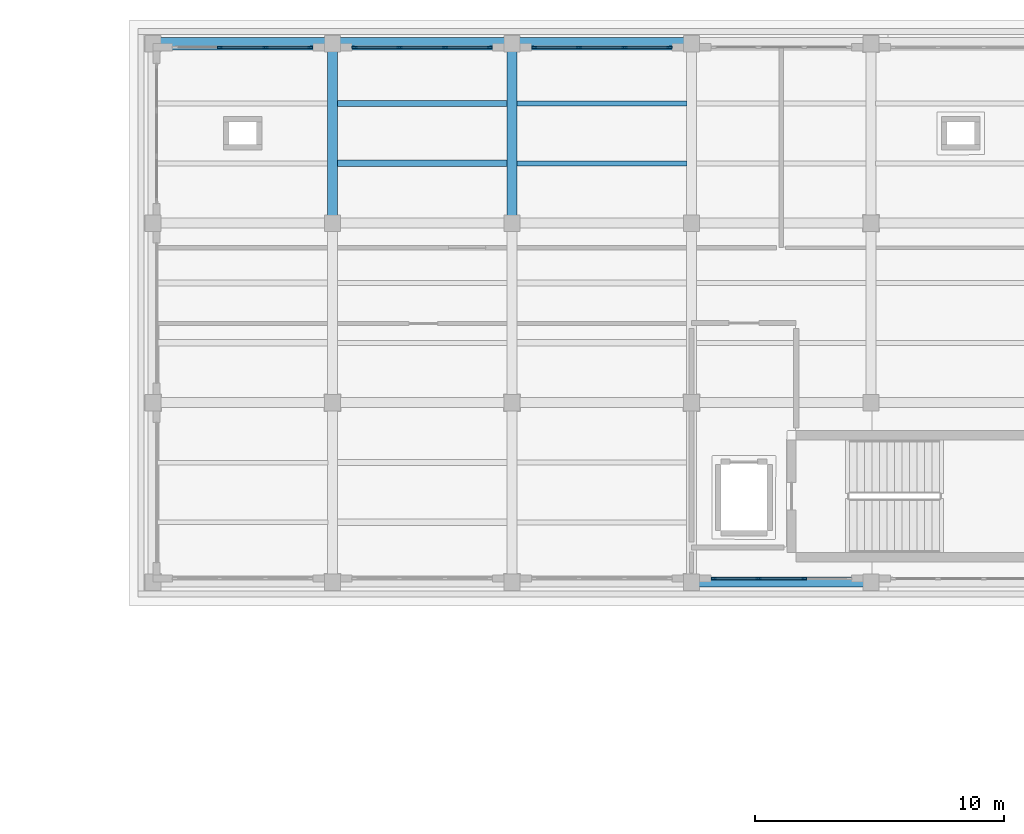
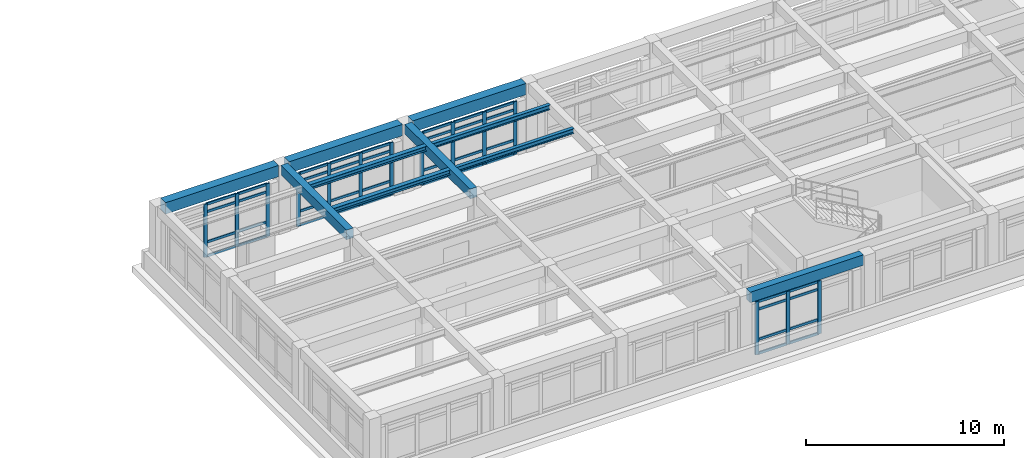
# One storey, part 24 of 55: 54 members, 10 beams, 4 elements without a shape of their own.
"""IFC4 building model written with IfcOpenShell, lengths in metres."""

from ifc_helpers import new_model, si_unit, direction, frame, origin, origin_2d, place, context, subcontext, project, spatial, rectangle, i_section, extrude, material, layer, layer_set, material_profile, profile_set, type_object, element, aggregate, save


model = new_model("IFC4")

# Units and contexts
model_context = context("Model", 3, precision=1e-05, world=origin(), true_north=direction((0.0, 1.0)))
body_context = subcontext(model_context, "Body", "Model", "MODEL_VIEW")
ifc_project = project(units=[si_unit("LENGTHUNIT", "METRE"), si_unit("AREAUNIT", "SQUARE_METRE"), si_unit("VOLUMEUNIT", "CUBIC_METRE"), si_unit("PLANEANGLEUNIT", "RADIAN"), si_unit("MASSUNIT", "GRAM", prefix="KILO")], contexts=[model_context])

# Site, building, storey
site_placement = place(None, origin())
site = spatial("IfcSite", under=ifc_project, at=site_placement, CompositionType="ELEMENT")
building_placement = place(site_placement, origin())
building = spatial("IfcBuilding", under=site, at=building_placement, Name="Solenvale Faculty of Natural Sciences", CompositionType="ELEMENT")
storey_placement = place(building_placement, frame((0.0, 0.0, 22.5)))
storey = spatial("IfcBuildingStorey", under=building, at=storey_placement, Name="L05", CompositionType="ELEMENT", Elevation=22.5)

# Beams
ifc_material_1 = material(Name="Concrete 40 MPa", Category="concrete")
ifc_material_profile_1 = material_profile(ifc_material_1, rectangle(XDim=0.39990234375, YDim=0.60009765625, at=origin_2d()), Name="RC-BM-400x600")
ifc_profile_set_1 = profile_set([ifc_material_profile_1], Name="Concrete 40 MPa")
beam_type_1 = type_object("IfcBeamType", Name="BM-RC-400x600", PredefinedType="BEAM", material=ifc_profile_set_1)
for number, where, z_axis, x_axis, name in (
    (1, (86.39990234375, 108.304931640625, 3.919921875), (0.0, 1.0, 0.0), (-1.0, 0.0, 0.0), "L05 Y-Girder X86.4 (108.0..115.2)"),
    (2, (93.60009765625, 108.304931640625, 3.919921875), (0.0, 1.0, 0.0), (-1.0, 0.0, 0.0), "L05 Y-Girder X93.6 (108.0..115.2)"),
):
    element("IfcBeam", number, at=place(storey_placement, frame(where, z_axis=z_axis, x_axis=x_axis)), inside=storey, type_object=beam_type_1, Name=name, PredefinedType="BEAM", context=body_context, shape_type="SweptSolid", body=[
        extrude(rectangle(XDim=0.39990234375, YDim=0.60009765625, at=origin_2d()), origin(), (0.0, 0.0, 1.0), 6.590087890625),
    ])
ifc_material_profile_2 = material_profile(ifc_material_1, rectangle(XDim=0.39990234375, YDim=0.64990234375, at=origin_2d()), Name="RC-BM-400x650")
ifc_profile_set_2 = profile_set([ifc_material_profile_2], Name="Concrete 40 MPa")
beam_type_2 = type_object("IfcBeamType", Name="BM-RC-400x650", PredefinedType="BEAM", material=ifc_profile_set_2)
beam_1_placement = place(storey_placement, frame((101.10498046875, 93.60009765625, 3.89501953125), z_axis=(1.0, 0.0, 0.0), x_axis=(0.0, 1.0, 0.0)))
element("IfcBeam", 3, at=beam_1_placement, inside=storey, type_object=beam_type_2, Name="L05 X-Girder Y93.6 (100.8..108.0)", PredefinedType="BEAM", context=body_context, shape_type="SweptSolid", body=[
    extrude(rectangle(XDim=0.39990234375, YDim=0.64990234375, at=origin_2d()), origin(), (0.0, 0.0, 1.0), 6.590087890625),
])
ifc_material_2 = material(Name="Precast concrete 40 MPa", Category="concrete")
ifc_material_profile_3 = material_profile(ifc_material_2, rectangle(XDim=0.5, YDim=0.699951171875, at=origin_2d()), Name="RC-BM-500x700")
ifc_profile_set_3 = profile_set([ifc_material_profile_3], Name="Precast concrete 40 MPa")
beam_type_3 = type_object("IfcBeamType", Name="BM-SPN-PRC-700", PredefinedType="SPANDREL", material=ifc_profile_set_3)
beam_2_placement = place(storey_placement, frame((79.5048828125, 115.199951171875, 3.8701171875), z_axis=(1.0, 0.0, 0.0), x_axis=(0.0, 1.0, 0.0)))
element("IfcBeam", 4, at=beam_2_placement, inside=storey, type_object=beam_type_3, Name="L05 X-Girder Y115.2 (79.2..86.4)", PredefinedType="SPANDREL", context=body_context, shape_type="SweptSolid", body=[
    extrude(rectangle(XDim=0.5, YDim=0.699951171875, at=origin_2d()), origin(), (0.0, 0.0, 1.0), 6.590087890625),
])
beam_3_placement = place(storey_placement, frame((86.705078125, 115.199951171875, 3.8701171875), z_axis=(1.0, 0.0, 0.0), x_axis=(0.0, 1.0, 0.0)))
element("IfcBeam", 5, at=beam_3_placement, inside=storey, type_object=beam_type_3, Name="L05 X-Girder Y115.2 (86.4..93.6)", PredefinedType="SPANDREL", context=body_context, shape_type="SweptSolid", body=[
    extrude(rectangle(XDim=0.5, YDim=0.699951171875, at=origin_2d()), origin(), (0.0, 0.0, 1.0), 6.58984375),
])
beam_4_placement = place(storey_placement, frame((93.905029296875, 115.199951171875, 3.8701171875), z_axis=(1.0, 0.0, 0.0), x_axis=(0.0, 1.0, 0.0)))
element("IfcBeam", 6, at=beam_4_placement, inside=storey, type_object=beam_type_3, Name="L05 X-Girder Y115.2 (93.6..100.8)", PredefinedType="SPANDREL", context=body_context, shape_type="SweptSolid", body=[
    extrude(rectangle(XDim=0.5, YDim=0.699951171875, at=origin_2d()), origin(), (0.0, 0.0, 1.0), 6.590087890625),
])
ifc_material_3 = material(Name="Steel S355", Category="steel")
ifc_material_profile_4 = material_profile(ifc_material_3, i_section(OverallWidth=0.202880859375, OverallDepth=0.302978515625, WebThickness=0.007568359375, FlangeThickness=0.01318359375, FilletRadius=0.014892578125, at=origin_2d()), Name="W310x60")
ifc_profile_set_4 = profile_set([ifc_material_profile_4], Name="Steel S355")
beam_type_4 = type_object("IfcBeamType", Name="BM-STL-W310x60", PredefinedType="JOIST", material=ifc_profile_set_4)
for number, where, z_axis, x_axis, name in (
    (7, (93.780029296875, 110.39990234375, 4.068603515625), (1.0, 0.0, 0.0), (0.0, 1.0, 0.0), "L05 Composite Floor Joist (14,16).1"),
    (8, (93.780029296875, 112.800048828125, 4.068603515625), (1.0, 0.0, 0.0), (0.0, 1.0, 0.0), "L05 Composite Floor Joist (14,16).2"),
):
    element("IfcBeam", number, at=place(storey_placement, frame(where, z_axis=z_axis, x_axis=x_axis)), inside=storey, type_object=beam_type_4, Name=name, PredefinedType="JOIST", context=body_context, shape_type="SweptSolid", body=[
        extrude(i_section(OverallWidth=0.202880859375, OverallDepth=0.302978515625, WebThickness=0.007568359375, FlangeThickness=0.01318359375, FilletRadius=0.014892578125, at=origin_2d()), origin(), (0.0, 0.0, 1.0), 6.840087890625),
    ])
ifc_material_profile_5 = material_profile(ifc_material_3, i_section(OverallWidth=0.25390625, OverallDepth=0.305908203125, WebThickness=0.0087890625, FlangeThickness=0.0146484375, FilletRadius=0.014892578125, at=origin_2d()), Name="W310x79")
ifc_profile_set_5 = profile_set([ifc_material_profile_5], Name="Steel S355")
beam_type_5 = type_object("IfcBeamType", Name="BM-STL-W310x79", PredefinedType="JOIST", material=ifc_profile_set_5)
for number, where, z_axis, x_axis, name in (
    (9, (86.580078125, 110.39990234375, 4.06689453125), (1.0, 0.0, 0.0), (0.0, 1.0, 0.0), "L05 Composite Floor Joist (13,16).1"),
    (10, (86.580078125, 112.800048828125, 4.06689453125), (1.0, 0.0, 0.0), (0.0, 1.0, 0.0), "L05 Composite Floor Joist (13,16).2"),
):
    element("IfcBeam", number, at=place(storey_placement, frame(where, z_axis=z_axis, x_axis=x_axis)), inside=storey, type_object=beam_type_5, Name=name, PredefinedType="JOIST", context=body_context, shape_type="SweptSolid", body=[
        extrude(i_section(OverallWidth=0.25390625, OverallDepth=0.305908203125, WebThickness=0.0087890625, FlangeThickness=0.0146484375, FilletRadius=0.014892578125, at=origin_2d()), origin(), (0.0, 0.0, 1.0), 6.83984375),
    ])

# Curtain wall, members
ifc_material_4 = material(Name="Anodised bronze aluminium", Category="aluminium")
ifc_layer = layer(ifc_material_4, 0.179931640625)
ifc_layer_set = layer_set([ifc_layer], Name="Anodised bronze aluminium")
curtain_wall_type = type_object("IfcCurtainWallType", Name="CW-TWR-MOD", PredefinedType="USERDEFINED", material=ifc_layer_set)
curtain_wall_1_placement = place(storey_placement, origin())
curtain_wall_1 = element("IfcCurtainWall", 11, at=curtain_wall_1_placement, inside=storey, type_object=curtain_wall_type, Name="L05 Curtain Wall CW-L05-P2-E3-B8", ObjectType="UNITISED CURTAIN WALL", PredefinedType="USERDEFINED")
ifc_material_profile_6 = material_profile(ifc_material_4, rectangle(XDim=0.074951171875, YDim=0.2099609375, at=origin_2d()), Name="ALU-MUL-75x210")
ifc_profile_set_6 = profile_set([ifc_material_profile_6], Name="Anodised bronze aluminium")
member_type_1 = type_object("IfcMemberType", Name="CWM-ALU-75x210", PredefinedType="MULLION", material=ifc_profile_set_6)
member_1_placement = place(storey_placement, frame((99.91259765625, 115.0576171875, 0.0), z_axis=(0.0, 0.0, 1.0), x_axis=(0.0, -1.0, 0.0)))
member_1 = element("IfcMember", 12, at=member_1_placement, type_object=member_type_1, Name="CW-04 mullion 1", PredefinedType="MULLION", context=body_context, shape_type="SweptSolid", body=[
    extrude(rectangle(XDim=0.074951171875, YDim=0.2099609375, at=origin_2d()), origin(), (0.0, 0.0, 1.0), 3.260009765625),
])
member_2_placement = place(storey_placement, frame((98.11669921875, 115.0576171875, 0.0), z_axis=(0.0, 0.0, 1.0), x_axis=(0.0, -1.0, 0.0)))
member_2 = element("IfcMember", 13, at=member_2_placement, type_object=member_type_1, Name="CW-04 mullion 2", PredefinedType="MULLION", context=body_context, shape_type="SweptSolid", body=[
    extrude(rectangle(XDim=0.074951171875, YDim=0.2099609375, at=origin_2d()), origin(), (0.0, 0.0, 1.0), 3.260009765625),
])
member_3_placement = place(storey_placement, frame((96.283447265625, 115.0576171875, 0.0), z_axis=(0.0, 0.0, 1.0), x_axis=(0.0, -1.0, 0.0)))
member_3 = element("IfcMember", 14, at=member_3_placement, type_object=member_type_1, Name="CW-04 mullion 3", PredefinedType="MULLION", context=body_context, shape_type="SweptSolid", body=[
    extrude(rectangle(XDim=0.074951171875, YDim=0.2099609375, at=origin_2d()), origin(), (0.0, 0.0, 1.0), 3.260009765625),
])
member_4_placement = place(storey_placement, frame((94.487548828125, 115.0576171875, 0.0), z_axis=(0.0, 0.0, 1.0), x_axis=(0.0, -1.0, 0.0)))
member_4 = element("IfcMember", 15, at=member_4_placement, type_object=member_type_1, Name="CW-04 mullion 4", PredefinedType="MULLION", context=body_context, shape_type="SweptSolid", body=[
    extrude(rectangle(XDim=0.074951171875, YDim=0.2099609375, at=origin_2d()), origin(), (0.0, 0.0, 1.0), 3.260009765625),
])

curtain_wall_2_placement = place(storey_placement, origin())
curtain_wall_2 = element("IfcCurtainWall", 16, at=curtain_wall_2_placement, inside=storey, type_object=curtain_wall_type, Name="L05 Curtain Wall CW-L05-P2-E3-B9", ObjectType="UNITISED CURTAIN WALL", PredefinedType="USERDEFINED")
member_5_placement = place(storey_placement, frame((92.71240234375, 115.0576171875, 0.0), z_axis=(0.0, 0.0, 1.0), x_axis=(0.0, -1.0, 0.0)))
member_5 = element("IfcMember", 17, at=member_5_placement, type_object=member_type_1, Name="CW-04 mullion 1", PredefinedType="MULLION", context=body_context, shape_type="SweptSolid", body=[
    extrude(rectangle(XDim=0.074951171875, YDim=0.2099609375, at=origin_2d()), origin(), (0.0, 0.0, 1.0), 3.260009765625),
])
member_6_placement = place(storey_placement, frame((90.916748046875, 115.0576171875, 0.0), z_axis=(0.0, 0.0, 1.0), x_axis=(0.0, -1.0, 0.0)))
member_6 = element("IfcMember", 18, at=member_6_placement, type_object=member_type_1, Name="CW-04 mullion 2", PredefinedType="MULLION", context=body_context, shape_type="SweptSolid", body=[
    extrude(rectangle(XDim=0.074951171875, YDim=0.2099609375, at=origin_2d()), origin(), (0.0, 0.0, 1.0), 3.260009765625),
])
member_7_placement = place(storey_placement, frame((89.083251953125, 115.0576171875, 0.0), z_axis=(0.0, 0.0, 1.0), x_axis=(0.0, -1.0, 0.0)))
member_7 = element("IfcMember", 19, at=member_7_placement, type_object=member_type_1, Name="CW-04 mullion 3", PredefinedType="MULLION", context=body_context, shape_type="SweptSolid", body=[
    extrude(rectangle(XDim=0.074951171875, YDim=0.2099609375, at=origin_2d()), origin(), (0.0, 0.0, 1.0), 3.260009765625),
])
member_8_placement = place(storey_placement, frame((87.28759765625, 115.0576171875, 0.0), z_axis=(0.0, 0.0, 1.0), x_axis=(0.0, -1.0, 0.0)))
member_8 = element("IfcMember", 20, at=member_8_placement, type_object=member_type_1, Name="CW-04 mullion 4", PredefinedType="MULLION", context=body_context, shape_type="SweptSolid", body=[
    extrude(rectangle(XDim=0.074951171875, YDim=0.2099609375, at=origin_2d()), origin(), (0.0, 0.0, 1.0), 3.260009765625),
])

curtain_wall_3_placement = place(storey_placement, origin())
curtain_wall_3 = element("IfcCurtainWall", 21, at=curtain_wall_3_placement, inside=storey, type_object=curtain_wall_type, Name="L05 Curtain Wall CW-L05-P2-E3-B10", ObjectType="UNITISED CURTAIN WALL", PredefinedType="USERDEFINED")
member_9_placement = place(storey_placement, frame((85.512451171875, 115.0576171875, 0.0), z_axis=(0.0, 0.0, 1.0), x_axis=(0.0, -1.0, 0.0)))
member_9 = element("IfcMember", 22, at=member_9_placement, type_object=member_type_1, Name="CW-04 mullion 1", PredefinedType="MULLION", context=body_context, shape_type="SweptSolid", body=[
    extrude(rectangle(XDim=0.074951171875, YDim=0.2099609375, at=origin_2d()), origin(), (0.0, 0.0, 1.0), 3.260009765625),
])
member_10_placement = place(storey_placement, frame((83.716552734375, 115.0576171875, 0.0), z_axis=(0.0, 0.0, 1.0), x_axis=(0.0, -1.0, 0.0)))
member_10 = element("IfcMember", 23, at=member_10_placement, type_object=member_type_1, Name="CW-04 mullion 2", PredefinedType="MULLION", context=body_context, shape_type="SweptSolid", body=[
    extrude(rectangle(XDim=0.074951171875, YDim=0.2099609375, at=origin_2d()), origin(), (0.0, 0.0, 1.0), 3.260009765625),
])
member_11_placement = place(storey_placement, frame((81.88330078125, 115.0576171875, 0.0), z_axis=(0.0, 0.0, 1.0), x_axis=(0.0, -1.0, 0.0)))
member_11 = element("IfcMember", 24, at=member_11_placement, type_object=member_type_1, Name="CW-04 mullion 3", PredefinedType="MULLION", context=body_context, shape_type="SweptSolid", body=[
    extrude(rectangle(XDim=0.074951171875, YDim=0.2099609375, at=origin_2d()), origin(), (0.0, 0.0, 1.0), 3.260009765625),
])

curtain_wall_4_placement = place(storey_placement, origin())
curtain_wall_4 = element("IfcCurtainWall", 25, at=curtain_wall_4_placement, inside=storey, type_object=curtain_wall_type, Name="L05 Curtain Wall CW-L05-P2-E5-B4", ObjectType="UNITISED CURTAIN WALL", PredefinedType="USERDEFINED")
member_12_placement = place(storey_placement, frame((101.6875, 93.742431640625, 0.0), z_axis=(0.0, 0.0, 1.0), x_axis=(0.0, 1.0, 0.0)))
member_12 = element("IfcMember", 26, at=member_12_placement, type_object=member_type_1, Name="CW-04 mullion 1", PredefinedType="MULLION", context=body_context, shape_type="SweptSolid", body=[
    extrude(rectangle(XDim=0.074951171875, YDim=0.2099609375, at=origin_2d()), origin(), (0.0, 0.0, 1.0), 3.260009765625),
])
member_13_placement = place(storey_placement, frame((103.4833984375, 93.742431640625, 0.0), z_axis=(0.0, 0.0, 1.0), x_axis=(0.0, 1.0, 0.0)))
member_13 = element("IfcMember", 27, at=member_13_placement, type_object=member_type_1, Name="CW-04 mullion 2", PredefinedType="MULLION", context=body_context, shape_type="SweptSolid", body=[
    extrude(rectangle(XDim=0.074951171875, YDim=0.2099609375, at=origin_2d()), origin(), (0.0, 0.0, 1.0), 3.260009765625),
])
member_14_placement = place(storey_placement, frame((105.316650390625, 93.742431640625, 0.0), z_axis=(0.0, 0.0, 1.0), x_axis=(0.0, 1.0, 0.0)))
member_14 = element("IfcMember", 28, at=member_14_placement, type_object=member_type_1, Name="CW-04 mullion 3", PredefinedType="MULLION", context=body_context, shape_type="SweptSolid", body=[
    extrude(rectangle(XDim=0.074951171875, YDim=0.2099609375, at=origin_2d()), origin(), (0.0, 0.0, 1.0), 3.260009765625),
])

# Member
ifc_material_profile_7 = material_profile(ifc_material_4, rectangle(XDim=0.074951171875, YDim=0.155029296875, at=origin_2d()), Name="ALU-TRN-75x155")
ifc_profile_set_7 = profile_set([ifc_material_profile_7], Name="Anodised bronze aluminium")
member_type_2 = type_object("IfcMemberType", Name="CWT-ALU-75x155", PredefinedType="USERDEFINED", material=ifc_profile_set_7)
member_15_placement = place(storey_placement, frame((99.875, 115.0576171875, 0.03759765625), z_axis=(-1.0, 0.0, 0.0), x_axis=(0.0, -1.0, 0.0)))
member_15 = element("IfcMember", 29, at=member_15_placement, type_object=member_type_2, Name="CW-04 transom 1.1", ObjectType="TRANSOM", PredefinedType="USERDEFINED", context=body_context, shape_type="SweptSolid", body=[
    extrude(rectangle(XDim=0.074951171875, YDim=0.155029296875, at=origin_2d()), origin(), (0.0, 0.0, 1.0), 1.720947265625),
])

member_16_placement = place(storey_placement, frame((99.875, 115.0576171875, 0.89990234375), z_axis=(-1.0, 0.0, 0.0), x_axis=(0.0, -1.0, 0.0)))
member_16 = element("IfcMember", 30, at=member_16_placement, type_object=member_type_2, Name="CW-04 transom 1.2", ObjectType="TRANSOM", PredefinedType="USERDEFINED", context=body_context, shape_type="SweptSolid", body=[
    extrude(rectangle(XDim=0.074951171875, YDim=0.155029296875, at=origin_2d()), origin(), (0.0, 0.0, 1.0), 1.720947265625),
])

member_17_placement = place(storey_placement, frame((99.875, 115.0576171875, 2.760009765625), z_axis=(-1.0, 0.0, 0.0), x_axis=(0.0, -1.0, 0.0)))
member_17 = element("IfcMember", 31, at=member_17_placement, type_object=member_type_2, Name="CW-04 transom 1.3", ObjectType="TRANSOM", PredefinedType="USERDEFINED", context=body_context, shape_type="SweptSolid", body=[
    extrude(rectangle(XDim=0.074951171875, YDim=0.155029296875, at=origin_2d()), origin(), (0.0, 0.0, 1.0), 1.720947265625),
])

member_18_placement = place(storey_placement, frame((99.875, 115.0576171875, 3.222412109375), z_axis=(-1.0, 0.0, 0.0), x_axis=(0.0, -1.0, 0.0)))
member_18 = element("IfcMember", 32, at=member_18_placement, type_object=member_type_2, Name="CW-04 transom 1.4", ObjectType="TRANSOM", PredefinedType="USERDEFINED", context=body_context, shape_type="SweptSolid", body=[
    extrude(rectangle(XDim=0.074951171875, YDim=0.155029296875, at=origin_2d()), origin(), (0.0, 0.0, 1.0), 1.720947265625),
])

member_19_placement = place(storey_placement, frame((98.0791015625, 115.0576171875, 0.03759765625), z_axis=(-1.0, 0.0, 0.0), x_axis=(0.0, -1.0, 0.0)))
member_19 = element("IfcMember", 33, at=member_19_placement, type_object=member_type_2, Name="CW-04 transom 2.1", ObjectType="TRANSOM", PredefinedType="USERDEFINED", context=body_context, shape_type="SweptSolid", body=[
    extrude(rectangle(XDim=0.074951171875, YDim=0.155029296875, at=origin_2d()), origin(), (0.0, 0.0, 1.0), 1.75830078125),
])

member_20_placement = place(storey_placement, frame((98.0791015625, 115.0576171875, 0.89990234375), z_axis=(-1.0, 0.0, 0.0), x_axis=(0.0, -1.0, 0.0)))
member_20 = element("IfcMember", 34, at=member_20_placement, type_object=member_type_2, Name="CW-04 transom 2.2", ObjectType="TRANSOM", PredefinedType="USERDEFINED", context=body_context, shape_type="SweptSolid", body=[
    extrude(rectangle(XDim=0.074951171875, YDim=0.155029296875, at=origin_2d()), origin(), (0.0, 0.0, 1.0), 1.75830078125),
])

member_21_placement = place(storey_placement, frame((98.0791015625, 115.0576171875, 2.760009765625), z_axis=(-1.0, 0.0, 0.0), x_axis=(0.0, -1.0, 0.0)))
member_21 = element("IfcMember", 35, at=member_21_placement, type_object=member_type_2, Name="CW-04 transom 2.3", ObjectType="TRANSOM", PredefinedType="USERDEFINED", context=body_context, shape_type="SweptSolid", body=[
    extrude(rectangle(XDim=0.074951171875, YDim=0.155029296875, at=origin_2d()), origin(), (0.0, 0.0, 1.0), 1.75830078125),
])

member_22_placement = place(storey_placement, frame((98.0791015625, 115.0576171875, 3.222412109375), z_axis=(-1.0, 0.0, 0.0), x_axis=(0.0, -1.0, 0.0)))
member_22 = element("IfcMember", 36, at=member_22_placement, type_object=member_type_2, Name="CW-04 transom 2.4", ObjectType="TRANSOM", PredefinedType="USERDEFINED", context=body_context, shape_type="SweptSolid", body=[
    extrude(rectangle(XDim=0.074951171875, YDim=0.155029296875, at=origin_2d()), origin(), (0.0, 0.0, 1.0), 1.75830078125),
])

member_23_placement = place(storey_placement, frame((96.245849609375, 115.0576171875, 0.03759765625), z_axis=(-1.0, 0.0, 0.0), x_axis=(0.0, -1.0, 0.0)))
member_23 = element("IfcMember", 37, at=member_23_placement, type_object=member_type_2, Name="CW-04 transom 3.1", ObjectType="TRANSOM", PredefinedType="USERDEFINED", context=body_context, shape_type="SweptSolid", body=[
    extrude(rectangle(XDim=0.074951171875, YDim=0.155029296875, at=origin_2d()), origin(), (0.0, 0.0, 1.0), 1.720947265625),
])

member_24_placement = place(storey_placement, frame((96.245849609375, 115.0576171875, 0.89990234375), z_axis=(-1.0, 0.0, 0.0), x_axis=(0.0, -1.0, 0.0)))
member_24 = element("IfcMember", 38, at=member_24_placement, type_object=member_type_2, Name="CW-04 transom 3.2", ObjectType="TRANSOM", PredefinedType="USERDEFINED", context=body_context, shape_type="SweptSolid", body=[
    extrude(rectangle(XDim=0.074951171875, YDim=0.155029296875, at=origin_2d()), origin(), (0.0, 0.0, 1.0), 1.720947265625),
])

member_25_placement = place(storey_placement, frame((96.245849609375, 115.0576171875, 2.760009765625), z_axis=(-1.0, 0.0, 0.0), x_axis=(0.0, -1.0, 0.0)))
member_25 = element("IfcMember", 39, at=member_25_placement, type_object=member_type_2, Name="CW-04 transom 3.3", ObjectType="TRANSOM", PredefinedType="USERDEFINED", context=body_context, shape_type="SweptSolid", body=[
    extrude(rectangle(XDim=0.074951171875, YDim=0.155029296875, at=origin_2d()), origin(), (0.0, 0.0, 1.0), 1.720947265625),
])

member_26_placement = place(storey_placement, frame((96.245849609375, 115.0576171875, 3.222412109375), z_axis=(-1.0, 0.0, 0.0), x_axis=(0.0, -1.0, 0.0)))
member_26 = element("IfcMember", 40, at=member_26_placement, type_object=member_type_2, Name="CW-04 transom 3.4", ObjectType="TRANSOM", PredefinedType="USERDEFINED", context=body_context, shape_type="SweptSolid", body=[
    extrude(rectangle(XDim=0.074951171875, YDim=0.155029296875, at=origin_2d()), origin(), (0.0, 0.0, 1.0), 1.720947265625),
])

aggregate(curtain_wall_1, [member_1, member_2, member_3, member_4, member_15, member_16, member_17, member_18, member_19, member_20, member_21, member_22, member_23, member_24, member_25, member_26])

member_27_placement = place(storey_placement, frame((92.675048828125, 115.0576171875, 0.03759765625), z_axis=(-1.0, 0.0, 0.0), x_axis=(0.0, -1.0, 0.0)))
member_27 = element("IfcMember", 41, at=member_27_placement, type_object=member_type_2, Name="CW-04 transom 1.1", ObjectType="TRANSOM", PredefinedType="USERDEFINED", context=body_context, shape_type="SweptSolid", body=[
    extrude(rectangle(XDim=0.074951171875, YDim=0.155029296875, at=origin_2d()), origin(), (0.0, 0.0, 1.0), 1.720947265625),
])

member_28_placement = place(storey_placement, frame((92.675048828125, 115.0576171875, 0.89990234375), z_axis=(-1.0, 0.0, 0.0), x_axis=(0.0, -1.0, 0.0)))
member_28 = element("IfcMember", 42, at=member_28_placement, type_object=member_type_2, Name="CW-04 transom 1.2", ObjectType="TRANSOM", PredefinedType="USERDEFINED", context=body_context, shape_type="SweptSolid", body=[
    extrude(rectangle(XDim=0.074951171875, YDim=0.155029296875, at=origin_2d()), origin(), (0.0, 0.0, 1.0), 1.720947265625),
])

member_29_placement = place(storey_placement, frame((92.675048828125, 115.0576171875, 2.760009765625), z_axis=(-1.0, 0.0, 0.0), x_axis=(0.0, -1.0, 0.0)))
member_29 = element("IfcMember", 43, at=member_29_placement, type_object=member_type_2, Name="CW-04 transom 1.3", ObjectType="TRANSOM", PredefinedType="USERDEFINED", context=body_context, shape_type="SweptSolid", body=[
    extrude(rectangle(XDim=0.074951171875, YDim=0.155029296875, at=origin_2d()), origin(), (0.0, 0.0, 1.0), 1.720947265625),
])

member_30_placement = place(storey_placement, frame((92.675048828125, 115.0576171875, 3.222412109375), z_axis=(-1.0, 0.0, 0.0), x_axis=(0.0, -1.0, 0.0)))
member_30 = element("IfcMember", 44, at=member_30_placement, type_object=member_type_2, Name="CW-04 transom 1.4", ObjectType="TRANSOM", PredefinedType="USERDEFINED", context=body_context, shape_type="SweptSolid", body=[
    extrude(rectangle(XDim=0.074951171875, YDim=0.155029296875, at=origin_2d()), origin(), (0.0, 0.0, 1.0), 1.720947265625),
])

member_31_placement = place(storey_placement, frame((90.879150390625, 115.0576171875, 0.03759765625), z_axis=(-1.0, 0.0, 0.0), x_axis=(0.0, -1.0, 0.0)))
member_31 = element("IfcMember", 45, at=member_31_placement, type_object=member_type_2, Name="CW-04 transom 2.1", ObjectType="TRANSOM", PredefinedType="USERDEFINED", context=body_context, shape_type="SweptSolid", body=[
    extrude(rectangle(XDim=0.074951171875, YDim=0.155029296875, at=origin_2d()), origin(), (0.0, 0.0, 1.0), 1.75830078125),
])

member_32_placement = place(storey_placement, frame((90.879150390625, 115.0576171875, 0.89990234375), z_axis=(-1.0, 0.0, 0.0), x_axis=(0.0, -1.0, 0.0)))
member_32 = element("IfcMember", 46, at=member_32_placement, type_object=member_type_2, Name="CW-04 transom 2.2", ObjectType="TRANSOM", PredefinedType="USERDEFINED", context=body_context, shape_type="SweptSolid", body=[
    extrude(rectangle(XDim=0.074951171875, YDim=0.155029296875, at=origin_2d()), origin(), (0.0, 0.0, 1.0), 1.75830078125),
])

member_33_placement = place(storey_placement, frame((90.879150390625, 115.0576171875, 2.760009765625), z_axis=(-1.0, 0.0, 0.0), x_axis=(0.0, -1.0, 0.0)))
member_33 = element("IfcMember", 47, at=member_33_placement, type_object=member_type_2, Name="CW-04 transom 2.3", ObjectType="TRANSOM", PredefinedType="USERDEFINED", context=body_context, shape_type="SweptSolid", body=[
    extrude(rectangle(XDim=0.074951171875, YDim=0.155029296875, at=origin_2d()), origin(), (0.0, 0.0, 1.0), 1.75830078125),
])

member_34_placement = place(storey_placement, frame((90.879150390625, 115.0576171875, 3.222412109375), z_axis=(-1.0, 0.0, 0.0), x_axis=(0.0, -1.0, 0.0)))
member_34 = element("IfcMember", 48, at=member_34_placement, type_object=member_type_2, Name="CW-04 transom 2.4", ObjectType="TRANSOM", PredefinedType="USERDEFINED", context=body_context, shape_type="SweptSolid", body=[
    extrude(rectangle(XDim=0.074951171875, YDim=0.155029296875, at=origin_2d()), origin(), (0.0, 0.0, 1.0), 1.75830078125),
])

member_35_placement = place(storey_placement, frame((89.0458984375, 115.0576171875, 0.03759765625), z_axis=(-1.0, 0.0, 0.0), x_axis=(0.0, -1.0, 0.0)))
member_35 = element("IfcMember", 49, at=member_35_placement, type_object=member_type_2, Name="CW-04 transom 3.1", ObjectType="TRANSOM", PredefinedType="USERDEFINED", context=body_context, shape_type="SweptSolid", body=[
    extrude(rectangle(XDim=0.074951171875, YDim=0.155029296875, at=origin_2d()), origin(), (0.0, 0.0, 1.0), 1.720947265625),
])

member_36_placement = place(storey_placement, frame((89.0458984375, 115.0576171875, 0.89990234375), z_axis=(-1.0, 0.0, 0.0), x_axis=(0.0, -1.0, 0.0)))
member_36 = element("IfcMember", 50, at=member_36_placement, type_object=member_type_2, Name="CW-04 transom 3.2", ObjectType="TRANSOM", PredefinedType="USERDEFINED", context=body_context, shape_type="SweptSolid", body=[
    extrude(rectangle(XDim=0.074951171875, YDim=0.155029296875, at=origin_2d()), origin(), (0.0, 0.0, 1.0), 1.720947265625),
])

member_37_placement = place(storey_placement, frame((89.0458984375, 115.0576171875, 2.760009765625), z_axis=(-1.0, 0.0, 0.0), x_axis=(0.0, -1.0, 0.0)))
member_37 = element("IfcMember", 51, at=member_37_placement, type_object=member_type_2, Name="CW-04 transom 3.3", ObjectType="TRANSOM", PredefinedType="USERDEFINED", context=body_context, shape_type="SweptSolid", body=[
    extrude(rectangle(XDim=0.074951171875, YDim=0.155029296875, at=origin_2d()), origin(), (0.0, 0.0, 1.0), 1.720947265625),
])

member_38_placement = place(storey_placement, frame((89.0458984375, 115.0576171875, 3.222412109375), z_axis=(-1.0, 0.0, 0.0), x_axis=(0.0, -1.0, 0.0)))
member_38 = element("IfcMember", 52, at=member_38_placement, type_object=member_type_2, Name="CW-04 transom 3.4", ObjectType="TRANSOM", PredefinedType="USERDEFINED", context=body_context, shape_type="SweptSolid", body=[
    extrude(rectangle(XDim=0.074951171875, YDim=0.155029296875, at=origin_2d()), origin(), (0.0, 0.0, 1.0), 1.720947265625),
])

aggregate(curtain_wall_2, [member_5, member_6, member_7, member_8, member_27, member_28, member_29, member_30, member_31, member_32, member_33, member_34, member_35, member_36, member_37, member_38])

member_39_placement = place(storey_placement, frame((85.47509765625, 115.0576171875, 0.03759765625), z_axis=(-1.0, 0.0, 0.0), x_axis=(0.0, -1.0, 0.0)))
member_39 = element("IfcMember", 53, at=member_39_placement, type_object=member_type_2, Name="CW-04 transom 1.1", ObjectType="TRANSOM", PredefinedType="USERDEFINED", context=body_context, shape_type="SweptSolid", body=[
    extrude(rectangle(XDim=0.074951171875, YDim=0.155029296875, at=origin_2d()), origin(), (0.0, 0.0, 1.0), 1.720947265625),
])

member_40_placement = place(storey_placement, frame((85.47509765625, 115.0576171875, 0.89990234375), z_axis=(-1.0, 0.0, 0.0), x_axis=(0.0, -1.0, 0.0)))
member_40 = element("IfcMember", 54, at=member_40_placement, type_object=member_type_2, Name="CW-04 transom 1.2", ObjectType="TRANSOM", PredefinedType="USERDEFINED", context=body_context, shape_type="SweptSolid", body=[
    extrude(rectangle(XDim=0.074951171875, YDim=0.155029296875, at=origin_2d()), origin(), (0.0, 0.0, 1.0), 1.720947265625),
])

member_41_placement = place(storey_placement, frame((85.47509765625, 115.0576171875, 2.760009765625), z_axis=(-1.0, 0.0, 0.0), x_axis=(0.0, -1.0, 0.0)))
member_41 = element("IfcMember", 55, at=member_41_placement, type_object=member_type_2, Name="CW-04 transom 1.3", ObjectType="TRANSOM", PredefinedType="USERDEFINED", context=body_context, shape_type="SweptSolid", body=[
    extrude(rectangle(XDim=0.074951171875, YDim=0.155029296875, at=origin_2d()), origin(), (0.0, 0.0, 1.0), 1.720947265625),
])

member_42_placement = place(storey_placement, frame((85.47509765625, 115.0576171875, 3.222412109375), z_axis=(-1.0, 0.0, 0.0), x_axis=(0.0, -1.0, 0.0)))
member_42 = element("IfcMember", 56, at=member_42_placement, type_object=member_type_2, Name="CW-04 transom 1.4", ObjectType="TRANSOM", PredefinedType="USERDEFINED", context=body_context, shape_type="SweptSolid", body=[
    extrude(rectangle(XDim=0.074951171875, YDim=0.155029296875, at=origin_2d()), origin(), (0.0, 0.0, 1.0), 1.720947265625),
])

member_43_placement = place(storey_placement, frame((83.67919921875, 115.0576171875, 0.03759765625), z_axis=(-1.0, 0.0, 0.0), x_axis=(0.0, -1.0, 0.0)))
member_43 = element("IfcMember", 57, at=member_43_placement, type_object=member_type_2, Name="CW-04 transom 2.1", ObjectType="TRANSOM", PredefinedType="USERDEFINED", context=body_context, shape_type="SweptSolid", body=[
    extrude(rectangle(XDim=0.074951171875, YDim=0.155029296875, at=origin_2d()), origin(), (0.0, 0.0, 1.0), 1.75830078125),
])

member_44_placement = place(storey_placement, frame((83.67919921875, 115.0576171875, 0.89990234375), z_axis=(-1.0, 0.0, 0.0), x_axis=(0.0, -1.0, 0.0)))
member_44 = element("IfcMember", 58, at=member_44_placement, type_object=member_type_2, Name="CW-04 transom 2.2", ObjectType="TRANSOM", PredefinedType="USERDEFINED", context=body_context, shape_type="SweptSolid", body=[
    extrude(rectangle(XDim=0.074951171875, YDim=0.155029296875, at=origin_2d()), origin(), (0.0, 0.0, 1.0), 1.75830078125),
])

member_45_placement = place(storey_placement, frame((83.67919921875, 115.0576171875, 2.760009765625), z_axis=(-1.0, 0.0, 0.0), x_axis=(0.0, -1.0, 0.0)))
member_45 = element("IfcMember", 59, at=member_45_placement, type_object=member_type_2, Name="CW-04 transom 2.3", ObjectType="TRANSOM", PredefinedType="USERDEFINED", context=body_context, shape_type="SweptSolid", body=[
    extrude(rectangle(XDim=0.074951171875, YDim=0.155029296875, at=origin_2d()), origin(), (0.0, 0.0, 1.0), 1.75830078125),
])

member_46_placement = place(storey_placement, frame((83.67919921875, 115.0576171875, 3.222412109375), z_axis=(-1.0, 0.0, 0.0), x_axis=(0.0, -1.0, 0.0)))
member_46 = element("IfcMember", 60, at=member_46_placement, type_object=member_type_2, Name="CW-04 transom 2.4", ObjectType="TRANSOM", PredefinedType="USERDEFINED", context=body_context, shape_type="SweptSolid", body=[
    extrude(rectangle(XDim=0.074951171875, YDim=0.155029296875, at=origin_2d()), origin(), (0.0, 0.0, 1.0), 1.75830078125),
])

aggregate(curtain_wall_3, [member_9, member_10, member_11, member_39, member_40, member_41, member_42, member_43, member_44, member_45, member_46])

member_47_placement = place(storey_placement, frame((101.72509765625, 93.742431640625, 0.03759765625), z_axis=(1.0, 0.0, 0.0), x_axis=(0.0, 1.0, 0.0)))
member_47 = element("IfcMember", 61, at=member_47_placement, type_object=member_type_2, Name="CW-04 transom 1.1", ObjectType="TRANSOM", PredefinedType="USERDEFINED", context=body_context, shape_type="SweptSolid", body=[
    extrude(rectangle(XDim=0.074951171875, YDim=0.155029296875, at=origin_2d()), origin(), (0.0, 0.0, 1.0), 1.720703125),
])

member_48_placement = place(storey_placement, frame((101.72509765625, 93.742431640625, 0.89990234375), z_axis=(1.0, 0.0, 0.0), x_axis=(0.0, 1.0, 0.0)))
member_48 = element("IfcMember", 62, at=member_48_placement, type_object=member_type_2, Name="CW-04 transom 1.2", ObjectType="TRANSOM", PredefinedType="USERDEFINED", context=body_context, shape_type="SweptSolid", body=[
    extrude(rectangle(XDim=0.074951171875, YDim=0.155029296875, at=origin_2d()), origin(), (0.0, 0.0, 1.0), 1.720703125),
])

member_49_placement = place(storey_placement, frame((101.72509765625, 93.742431640625, 2.760009765625), z_axis=(1.0, 0.0, 0.0), x_axis=(0.0, 1.0, 0.0)))
member_49 = element("IfcMember", 63, at=member_49_placement, type_object=member_type_2, Name="CW-04 transom 1.3", ObjectType="TRANSOM", PredefinedType="USERDEFINED", context=body_context, shape_type="SweptSolid", body=[
    extrude(rectangle(XDim=0.074951171875, YDim=0.155029296875, at=origin_2d()), origin(), (0.0, 0.0, 1.0), 1.720703125),
])

member_50_placement = place(storey_placement, frame((101.72509765625, 93.742431640625, 3.222412109375), z_axis=(1.0, 0.0, 0.0), x_axis=(0.0, 1.0, 0.0)))
member_50 = element("IfcMember", 64, at=member_50_placement, type_object=member_type_2, Name="CW-04 transom 1.4", ObjectType="TRANSOM", PredefinedType="USERDEFINED", context=body_context, shape_type="SweptSolid", body=[
    extrude(rectangle(XDim=0.074951171875, YDim=0.155029296875, at=origin_2d()), origin(), (0.0, 0.0, 1.0), 1.720703125),
])

member_51_placement = place(storey_placement, frame((103.520751953125, 93.742431640625, 0.03759765625), z_axis=(1.0, 0.0, 0.0), x_axis=(0.0, 1.0, 0.0)))
member_51 = element("IfcMember", 65, at=member_51_placement, type_object=member_type_2, Name="CW-04 transom 2.1", ObjectType="TRANSOM", PredefinedType="USERDEFINED", context=body_context, shape_type="SweptSolid", body=[
    extrude(rectangle(XDim=0.074951171875, YDim=0.155029296875, at=origin_2d()), origin(), (0.0, 0.0, 1.0), 1.75830078125),
])

member_52_placement = place(storey_placement, frame((103.520751953125, 93.742431640625, 0.89990234375), z_axis=(1.0, 0.0, 0.0), x_axis=(0.0, 1.0, 0.0)))
member_52 = element("IfcMember", 66, at=member_52_placement, type_object=member_type_2, Name="CW-04 transom 2.2", ObjectType="TRANSOM", PredefinedType="USERDEFINED", context=body_context, shape_type="SweptSolid", body=[
    extrude(rectangle(XDim=0.074951171875, YDim=0.155029296875, at=origin_2d()), origin(), (0.0, 0.0, 1.0), 1.75830078125),
])

member_53_placement = place(storey_placement, frame((103.520751953125, 93.742431640625, 2.760009765625), z_axis=(1.0, 0.0, 0.0), x_axis=(0.0, 1.0, 0.0)))
member_53 = element("IfcMember", 67, at=member_53_placement, type_object=member_type_2, Name="CW-04 transom 2.3", ObjectType="TRANSOM", PredefinedType="USERDEFINED", context=body_context, shape_type="SweptSolid", body=[
    extrude(rectangle(XDim=0.074951171875, YDim=0.155029296875, at=origin_2d()), origin(), (0.0, 0.0, 1.0), 1.75830078125),
])

member_54_placement = place(storey_placement, frame((103.520751953125, 93.742431640625, 3.222412109375), z_axis=(1.0, 0.0, 0.0), x_axis=(0.0, 1.0, 0.0)))
member_54 = element("IfcMember", 68, at=member_54_placement, type_object=member_type_2, Name="CW-04 transom 2.4", ObjectType="TRANSOM", PredefinedType="USERDEFINED", context=body_context, shape_type="SweptSolid", body=[
    extrude(rectangle(XDim=0.074951171875, YDim=0.155029296875, at=origin_2d()), origin(), (0.0, 0.0, 1.0), 1.75830078125),
])

aggregate(curtain_wall_4, [member_12, member_13, member_14, member_47, member_48, member_49, member_50, member_51, member_52, member_53, member_54])

save(model, "model.ifc")
